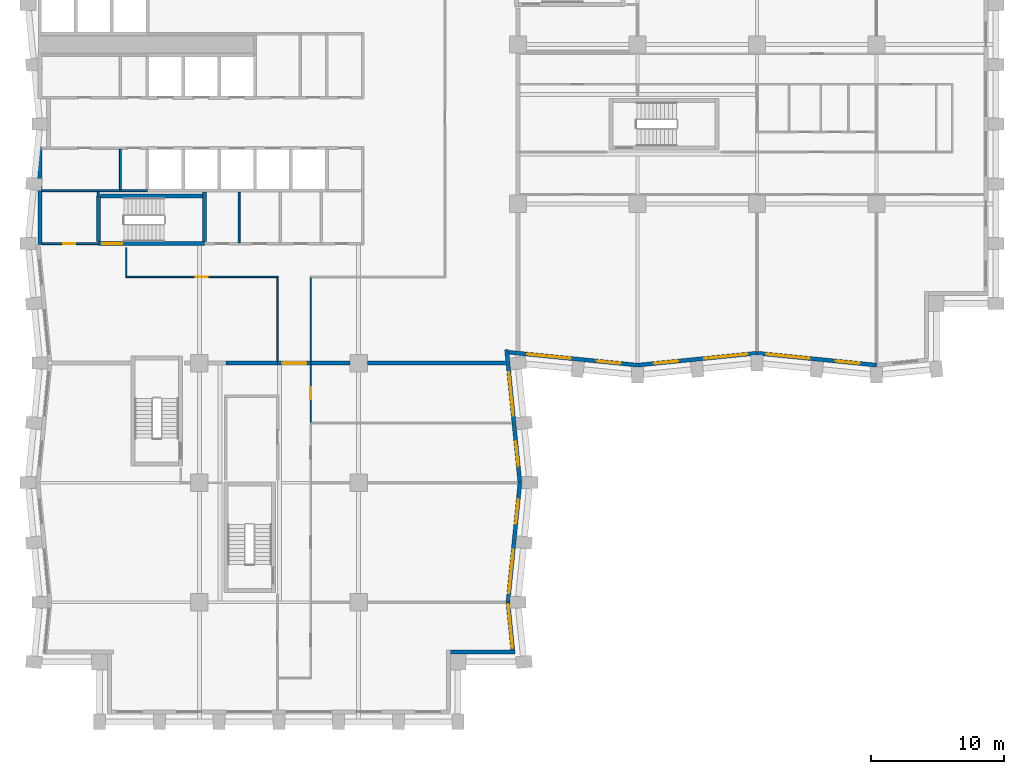
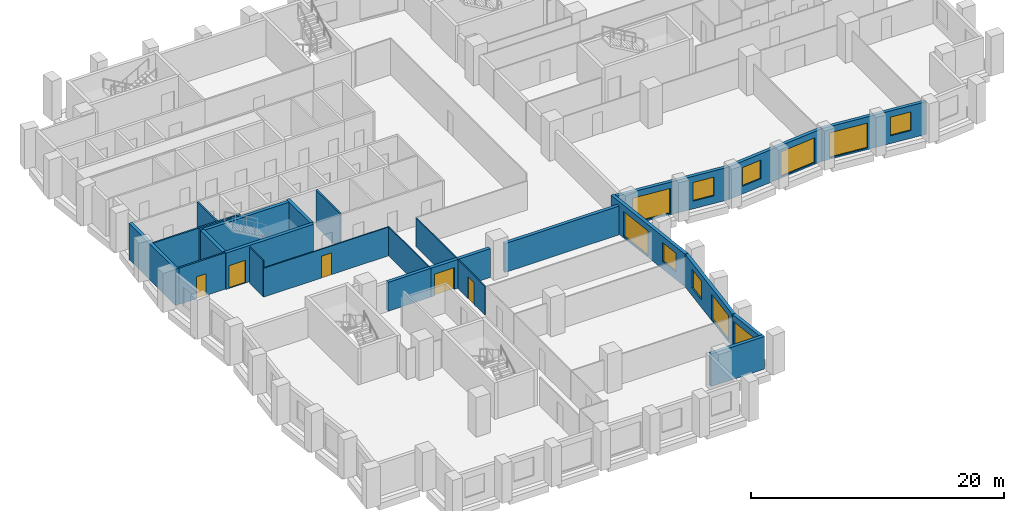
# One storey, part 4 of 11: 26 walls, 11 windows, 5 doors, 16 openings.
"""IFC4 building model written with IfcOpenShell, lengths in metres."""

import ifcopenshell
import ifcopenshell.guid

model = None  # the IFC model being written
_history = None  # IfcOwnerHistory: only IFC2X3 demands one
_inside = {}  # id of a spatial element -> (the spatial element, [elements in it])
_under = {}  # id of a project, library or spatial element -> (it, [spatial elements below it])
_declared = {}  # id of a project -> (the project, [libraries it declares])
_typed = {}  # id of a type object -> (the type object, [elements of that type])
_made_of = {}  # id of a material, layer set ... -> (it, [elements and type objects made of it])


def new_model(schema):
    """Start an empty IFC model of exactly this schema.

    Asked for "IFC4X3", IfcOpenShell would pick the latest addendum, in which some entities
    have other attributes; the version numbers below select the first issue.
    IFC2X3 requires an IfcOwnerHistory on every rooted entity: one is made here for all.
    """
    global model, _history
    if schema == "IFC4X3":
        model = ifcopenshell.file(schema_version=(4, 3, 0, 0))
    else:
        model = ifcopenshell.file(schema=schema)
    _inside.clear()
    _under.clear()
    _declared.clear()
    _typed.clear()
    _made_of.clear()
    _history = None
    if model.schema == "IFC2X3":
        org = make("IfcOrganization", Name="unknown")
        user = make(
            "IfcPersonAndOrganization",
            ThePerson=make("IfcPerson", FamilyName="unknown"),
            TheOrganization=org,
        )
        app = make(
            "IfcApplication",
            ApplicationDeveloper=org,
            Version="unknown",
            ApplicationFullName="unknown",
            ApplicationIdentifier="unknown",
        )
        _history = make(
            "IfcOwnerHistory",
            OwningUser=user,
            OwningApplication=app,
            ChangeAction="ADDED",
            CreationDate=0,
        )
    return model


def make(cls, **values):
    """One entity of the class cls with the attributes given. An attribute that is None is left unset."""
    return model.create_entity(
        cls, **{name: value for name, value in values.items() if value is not None}
    )


def rooted(cls, **values):
    """An entity with a GlobalId (a new one), such as an element, a storey or a relation."""
    return make(cls, GlobalId=ifcopenshell.guid.new(), OwnerHistory=_history, **values)


def si_unit(unit_type, name, prefix=None):
    """IfcSIUnit, for example si_unit("LENGTHUNIT", "METRE", prefix="MILLI")."""
    return make("IfcSIUnit", UnitType=unit_type, Prefix=prefix, Name=name)


def assignment(units):
    """IfcUnitAssignment: the units of a project."""
    return None if units is None else make("IfcUnitAssignment", Units=units)


def point(xyz):
    """IfcCartesianPoint."""
    return None if xyz is None else make("IfcCartesianPoint", Coordinates=xyz)


def direction(xyz):
    """IfcDirection."""
    return None if xyz is None else make("IfcDirection", DirectionRatios=xyz)


def frame(location, z_axis=None, x_axis=None):
    """IfcAxis2Placement3D, a coordinate frame: its origin and axes. An axis left out is left unset."""
    return make(
        "IfcAxis2Placement3D",
        Location=point(location),
        Axis=direction(z_axis),
        RefDirection=direction(x_axis),
    )


def frame_2d(location, x_axis=None):
    """IfcAxis2Placement2D, a coordinate frame in the plane: its origin and x axis."""
    return make(
        "IfcAxis2Placement2D", Location=point(location), RefDirection=direction(x_axis)
    )


def origin():
    """The frame at (0, 0, 0) with its axes left unset."""
    return frame((0.0, 0.0, 0.0))


def place(relative_to, where):
    """IfcLocalPlacement: puts the frame where relative to a parent placement (None: the world)."""
    return make(
        "IfcLocalPlacement", PlacementRelTo=relative_to, RelativePlacement=where
    )


def context(
    kind, dimensions, precision=None, world=None, true_north=None, identifier=None
):
    """IfcGeometricRepresentationContext, for example the 3D "Model" context."""
    return make(
        "IfcGeometricRepresentationContext",
        ContextIdentifier=identifier,
        ContextType=kind,
        CoordinateSpaceDimension=dimensions,
        Precision=precision,
        WorldCoordinateSystem=world,
        TrueNorth=true_north,
    )


def subcontext(parent, identifier, kind, view, scale=None):
    """IfcGeometricRepresentationSubContext, for example "Body" below "Model"."""
    return make(
        "IfcGeometricRepresentationSubContext",
        ContextIdentifier=identifier,
        ContextType=kind,
        ParentContext=parent,
        TargetScale=scale,
        TargetView=view,
    )


def project(units=None, contexts=None):
    """IfcProject with its units and contexts."""
    return rooted(
        "IfcProject",
        Name="project",
        RepresentationContexts=contexts,
        UnitsInContext=assignment(units),
    )


def spatial(cls, under=None, at=None, **own):
    """A site, building, storey or space (cls), placed at a placement, below another one or the project."""
    s = rooted(cls, ObjectPlacement=at, **own)
    if under is not None:
        _under.setdefault(under.id(), (under, []))[1].append(s)
    return s


def profile(cls, at=None, kind="AREA", **sizes):
    """A parametric profile (cls). Its sizes go by their IFC names, for example OverallWidth=200.0."""
    return make(cls, ProfileType=kind, Position=at, **sizes)


def rectangle(**sizes):
    """IfcRectangleProfileDef."""
    return profile("IfcRectangleProfileDef", **sizes)


def extrude(swept, where, along, depth):
    """IfcExtrudedAreaSolid: the profile swept, set in the frame where, extruded along a direction by depth."""
    return make(
        "IfcExtrudedAreaSolid",
        SweptArea=swept,
        Position=where,
        ExtrudedDirection=direction(along),
        Depth=depth,
    )


def shape(context_of_items, identifier, shape_type, items):
    """IfcShapeRepresentation: the items that make up one representation, for example the "Body"."""
    return make(
        "IfcShapeRepresentation",
        ContextOfItems=context_of_items,
        RepresentationIdentifier=identifier,
        RepresentationType=shape_type,
        Items=items,
    )


def material(Name=None, Category=None):
    """IfcMaterial."""
    return make("IfcMaterial", Name=Name, Category=Category)


def layer(
    of_material, thickness, ventilated=None, Name=None, Category=None, Priority=None
):
    """IfcMaterialLayer: one layer of a wall or slab, of a material (None: an air gap)."""
    return make(
        "IfcMaterialLayer",
        Material=of_material,
        LayerThickness=thickness,
        IsVentilated=ventilated,
        Name=Name,
        Category=Category,
        Priority=Priority,
    )


def layer_set(layers, Name=None):
    """IfcMaterialLayerSet."""
    return make("IfcMaterialLayerSet", MaterialLayers=layers, LayerSetName=Name)


def made_of(thing, what):
    """Note that an element or type object is made of a material, layer set ...; save() writes the relation."""
    if what is not None:
        _made_of.setdefault(what.id(), (what, []))[1].append(thing)
    return thing


def type_object(cls, material=None, **own):
    """A type object (cls), such as IfcWallType, which elements share."""
    return made_of(rooted(cls, **own), material)


def element(
    cls,
    number,
    at=None,
    inside=None,
    cuts=None,
    type_object=None,
    material=None,
    context=None,
    identifier="Body",
    shape_type=None,
    held_by="IfcProductDefinitionShape",
    body=None,
    shapes=None,
    **own,
):
    """One element of the class cls, such as IfcWall. Its Tag is "e" and its number.

    at: its placement. inside: the storey or other place that contains it. cuts: it is an
    opening in that element (IfcRelVoidsElement). A single representation is given by context,
    identifier, shape_type and body (its items); several are given by shapes. held_by: the class
    of the entity that holds the representations. save() writes the other relations.
    """
    e = rooted(cls, Tag="e%d" % number, ObjectPlacement=at, **own)
    if body is not None:
        shapes = [shape(context, identifier, shape_type, body)]
    if shapes is not None:
        e.Representation = make(held_by, Representations=shapes)
    if inside is not None:
        _inside.setdefault(inside.id(), (inside, []))[1].append(e)
    if cuts is not None:
        rooted(
            "IfcRelVoidsElement", RelatingBuildingElement=cuts, RelatedOpeningElement=e
        )
    if type_object is not None:
        _typed.setdefault(type_object.id(), (type_object, []))[1].append(e)
    return made_of(e, material)


def fill(opening, filler):
    """IfcRelFillsElement: the door or window that sits in an opening."""
    return rooted(
        "IfcRelFillsElement",
        RelatingOpeningElement=opening,
        RelatedBuildingElement=filler,
    )


def aggregate(whole, parts):
    """IfcRelAggregates: a whole, such as a stair, and the parts it consists of."""
    return rooted("IfcRelAggregates", RelatingObject=whole, RelatedObjects=parts)


def save(model, path):
    """Write the relations noted so far, then the file.

    IfcRelAggregates (storeys below a building ...), IfcRelContainedInSpatialStructure (elements
    in a storey), IfcRelDefinesByType, IfcRelAssociatesMaterial and IfcRelDeclares: one each for
    every whole, place, type object, material and project.
    """
    for whole, parts in _under.values():
        aggregate(whole, parts)
    for where, things in _inside.values():
        rooted(
            "IfcRelContainedInSpatialStructure",
            RelatedElements=things,
            RelatingStructure=where,
        )
    for kind, things in _typed.values():
        rooted("IfcRelDefinesByType", RelatedObjects=things, RelatingType=kind)
    for what, things in _made_of.values():
        rooted("IfcRelAssociatesMaterial", RelatedObjects=things, RelatingMaterial=what)
    for by, libraries in _declared.values():
        rooted("IfcRelDeclares", RelatingContext=by, RelatedDefinitions=libraries)
    model.write(path)


model = new_model("IFC4")

# Units and contexts
model_context = context("Model", 3, precision=1e-05, world=origin(), true_north=direction((0.0, 1.0)))
body_context = subcontext(model_context, "Body", "Model", "MODEL_VIEW")
ifc_project = project(units=[si_unit("LENGTHUNIT", "METRE"), si_unit("AREAUNIT", "SQUARE_METRE"), si_unit("VOLUMEUNIT", "CUBIC_METRE"), si_unit("PLANEANGLEUNIT", "RADIAN"), si_unit("MASSUNIT", "GRAM", prefix="KILO")], contexts=[model_context])

# Site, building, storey
site_placement = place(None, origin())
site = spatial("IfcSite", under=ifc_project, at=site_placement, CompositionType="ELEMENT")
building_placement = place(site_placement, origin())
building = spatial("IfcBuilding", under=site, at=building_placement, Name="Brondeck Convention Tower", CompositionType="ELEMENT")
storey_placement = place(building_placement, frame((0.0, 0.0, 99.89990234375)))
storey = spatial("IfcBuildingStorey", under=building, at=storey_placement, Name="L23", CompositionType="ELEMENT", Elevation=99.89990234375)

# Wall
ifc_material_1 = material(Name="Concrete compartment wall C30/37", Category="concrete")
ifc_layer_1 = layer(ifc_material_1, 0.300048828125)
ifc_layer_set_1 = layer_set([ifc_layer_1], Name="Compartment wall 300")
wall_type_1 = type_object("IfcWallType", Name="Compartment wall 300", PredefinedType="PARTITIONING", material=ifc_layer_set_1)
wall_1_placement = place(storey_placement, frame((14.0, 27.0, 0.0), z_axis=(0.0, 0.0, 1.0), x_axis=(1.0, 0.0, 0.0)))
element("IfcWall", 1, at=wall_1_placement, inside=storey, type_object=wall_type_1, Name="FLR-L23-W022", PredefinedType="PARTITIONING", context=body_context, shape_type="SweptSolid", body=[
    extrude(rectangle(XDim=3.89990234375, YDim=0.300048828125, at=frame_2d((1.949951171875, 0.0))), origin(), (0.0, 0.0, 1.0), 2.780029296875),
])

# Wall, opening, door
wall_2_placement = place(storey_placement, frame((20.39990234375, 27.0, 0.0), z_axis=(0.0, 0.0, 1.0), x_axis=(-1.0, 0.0, 0.0)))
wall_2 = element("IfcWall", 2, at=wall_2_placement, inside=storey, type_object=wall_type_1, Name="FLR-L23-W023", PredefinedType="PARTITIONING", context=body_context, shape_type="SweptSolid", body=[
    extrude(rectangle(XDim=2.5, YDim=0.300048828125, at=frame_2d((1.25, 0.0))), origin(), (0.0, 0.0, 1.0), 2.780029296875),
])
opening_1_placement = place(wall_2_placement, frame((0.35009765625, 0.0, 0.0)))
opening_1 = element("IfcOpeningElement", 3, at=opening_1_placement, cuts=wall_2, Name="Opening OF-B-021", PredefinedType="OPENING", context=body_context, shape_type="SweptSolid", body=[
    extrude(rectangle(XDim=1.800048828125, YDim=2.10009765625, at=frame_2d((0.89990234375, 1.050048828125))), frame((0.0, 0.159912109375, 0.0), z_axis=(0.0, -1.0, 0.0), x_axis=(1.0, 0.0, 0.0)), (0.0, 0.0, 1.0), 0.320068359375),
])
ifc_material_2 = material(Name="Steel fire door pair", Category="steel")
door_type_1 = type_object("IfcDoorType", Name="Fire door pair 1800", OperationType="DOUBLE_DOOR_SINGLE_SWING", PredefinedType="DOOR", material=ifc_material_2)
door_1_placement = place(opening_1_placement, origin())
door_1 = element("IfcDoor", 4, at=door_1_placement, inside=storey, type_object=door_type_1, Name="Door OF-B-021", OperationType="DOUBLE_DOOR_SINGLE_SWING", OverallHeight=2.10009765625, OverallWidth=1.800048828125, PredefinedType="DOOR", context=body_context, shape_type="SweptSolid", body=[
    extrude(rectangle(XDim=1.800048828125, YDim=2.10009765625, at=frame_2d((0.89990234375, 1.050048828125))), frame((0.0, 0.02490234375, 0.0), z_axis=(0.0, -1.0, 0.0), x_axis=(1.0, 0.0, 0.0)), (0.0, 0.0, 1.0), 0.050048828125),
])
fill(opening_1, door_1)

# Walls
wall_3_placement = place(storey_placement, frame((20.39990234375, 27.0, 0.0), z_axis=(0.0, 0.0, 1.0), x_axis=(1.0, 0.0, 0.0)))
element("IfcWall", 5, at=wall_3_placement, inside=storey, type_object=wall_type_1, Name="FLR-L23-W024", PredefinedType="PARTITIONING", context=body_context, shape_type="SweptSolid", body=[
    extrude(rectangle(XDim=2.945068359375, YDim=0.300048828125, at=frame_2d((1.47265625, 0.0))), origin(), (0.0, 0.0, 1.0), 2.780029296875),
])
wall_4_placement = place(storey_placement, frame((24.655029296875, 27.0, 0.0), z_axis=(0.0, 0.0, 1.0), x_axis=(1.0, 0.0, 0.0)))
element("IfcWall", 6, at=wall_4_placement, inside=storey, type_object=wall_type_1, Name="FLR-L23-W025", PredefinedType="PARTITIONING", context=body_context, shape_type="SweptSolid", body=[
    extrude(rectangle(XDim=10.42041015625, YDim=0.300048828125, at=frame_2d((5.210205078125, 0.0))), origin(), (0.0, 0.0, 1.0), 2.780029296875),
])
ifc_material_3 = material(Name="Concrete C70/85", Category="concrete")
ifc_layer_2 = layer(ifc_material_3, 0.300048828125)
ifc_layer_set_2 = layer_set([ifc_layer_2], Name="Core outer wall 300 Concrete C70/85")
wall_type_2 = type_object("IfcWallType", Name="Core outer wall 300 Concrete C70/85", PredefinedType="SHEAR", material=ifc_layer_set_2)
wall_5_placement = place(storey_placement, frame((0.0, 35.925048828125, 0.0), z_axis=(0.0, 0.0, 1.0), x_axis=(0.0, 1.0, 0.0)))
element("IfcWall", 7, at=wall_5_placement, inside=storey, type_object=wall_type_2, Name="L23 core wall", PredefinedType="SHEAR", context=body_context, shape_type="SweptSolid", body=[
    extrude(rectangle(XDim=7.349853515625, YDim=0.300048828125, at=frame_2d((3.6748046875, 0.0))), origin(), (0.0, 0.0, 1.0), 3.5),
])

# Wall, opening, door
ifc_material_4 = material(Name="Fire-rated gypsum board partition")
ifc_layer_3 = layer(ifc_material_4, 0.14990234375)
ifc_layer_set_3 = layer_set([ifc_layer_3], Name="Core partition 150 EI 60")
wall_type_3 = type_object("IfcWallType", Name="Core partition 150 EI 60", PredefinedType="PARTITIONING", material=ifc_layer_set_3)
wall_6_placement = place(storey_placement, frame((0.14990234375, 36.0, 0.0), z_axis=(0.0, 0.0, 1.0), x_axis=(1.0, 0.0, 0.0)))
wall_6 = element("IfcWall", 8, at=wall_6_placement, inside=storey, type_object=wall_type_3, Name="L23 core wall", PredefinedType="PARTITIONING", context=body_context, shape_type="SweptSolid", body=[
    extrude(rectangle(XDim=4.25, YDim=0.14990234375, at=frame_2d((2.125, 0.0))), origin(), (0.0, 0.0, 1.0), 3.5),
])
opening_2_placement = place(wall_6_placement, frame((1.60009765625, 0.0, 0.0)))
opening_2 = element("IfcOpeningElement", 9, at=opening_2_placement, cuts=wall_6, Name="Opening C15-07", PredefinedType="OPENING", context=body_context, shape_type="SweptSolid", body=[
    extrude(rectangle(XDim=0.89990234375, YDim=2.10009765625, at=frame_2d((0.449951171875, 1.050048828125))), frame((0.0, 0.0849609375, 0.0), z_axis=(0.0, -1.0, 0.0), x_axis=(1.0, 0.0, 0.0)), (0.0, 0.0, 1.0), 0.169921875),
])
ifc_material_5 = material(Name="Steel fire door", Category="steel")
door_type_2 = type_object("IfcDoorType", Name="Room door 900x2100 EI 60", OperationType="NOTDEFINED", PredefinedType="DOOR", material=ifc_material_5)
door_2_placement = place(opening_2_placement, origin())
door_2 = element("IfcDoor", 10, at=door_2_placement, inside=storey, type_object=door_type_2, Name="L23 Room door FRW-1", OperationType="SINGLE_SWING_LEFT", OverallHeight=2.10009765625, OverallWidth=0.89990234375, PredefinedType="DOOR", context=body_context, shape_type="SweptSolid", body=[
    extrude(rectangle(XDim=0.89990234375, YDim=2.10009765625, at=frame_2d((0.449951171875, 1.050048828125))), frame((0.0, 0.02490234375, 0.0), z_axis=(0.0, -1.0, 0.0), x_axis=(1.0, 0.0, 0.0)), (0.0, 0.0, 1.0), 0.050048828125),
])
fill(opening_2, door_2)

# Walls
wall_7_placement = place(storey_placement, frame((0.14990234375, 40.0, 0.0), z_axis=(0.0, 0.0, 1.0), x_axis=(1.0, 0.0, 0.0)))
element("IfcWall", 11, at=wall_7_placement, inside=storey, type_object=wall_type_3, Name="L23 core wall", PredefinedType="PARTITIONING", context=body_context, shape_type="SweptSolid", body=[
    extrude(rectangle(XDim=7.9501953125, YDim=0.14990234375, at=frame_2d((3.97509765625, 0.0))), origin(), (0.0, 0.0, 1.0), 3.5),
])
wall_8_placement = place(storey_placement, frame((4.39990234375, 39.60009765625, 0.0), z_axis=(0.0, 0.0, 1.0), x_axis=(0.0, 1.0, 0.0)))
element("IfcWall", 12, at=wall_8_placement, inside=storey, type_object=wall_type_3, Name="L23 core wall", PredefinedType="PARTITIONING", context=body_context, shape_type="SweptSolid", body=[
    extrude(rectangle(XDim=0.324951171875, YDim=0.14990234375, at=frame_2d((0.16259765625, 0.0))), origin(), (0.0, 0.0, 1.0), 3.5),
])
wall_9_placement = place(storey_placement, frame((6.050048828125, 40.074951171875, 0.0), z_axis=(0.0, 0.0, 1.0), x_axis=(0.0, 1.0, 0.0)))
element("IfcWall", 13, at=wall_9_placement, inside=storey, type_object=wall_type_3, Name="L23 core wall", PredefinedType="PARTITIONING", context=body_context, shape_type="SweptSolid", body=[
    extrude(rectangle(XDim=3.050048828125, YDim=0.14990234375, at=frame_2d((1.52490234375, 0.0))), origin(), (0.0, 0.0, 1.0), 3.5),
])
wall_10_placement = place(storey_placement, frame((15.0, 36.074951171875, 0.0), z_axis=(0.0, 0.0, 1.0), x_axis=(0.0, 1.0, 0.0)))
element("IfcWall", 14, at=wall_10_placement, inside=storey, type_object=wall_type_3, Name="L23 core wall", PredefinedType="PARTITIONING", context=body_context, shape_type="SweptSolid", body=[
    extrude(rectangle(XDim=3.800048828125, YDim=0.14990234375, at=frame_2d((1.89990234375, 0.0))), origin(), (0.0, 0.0, 1.0), 3.5),
])
ifc_material_6 = material(Name="Precast concrete C50/60 bronze finish", Category="concrete")
ifc_layer_4 = layer(ifc_material_6, 0.070068359375, Name="Bronze precast facing")
ifc_material_7 = material(Name="Mineral wool")
ifc_layer_5 = layer(ifc_material_7, 0.159912109375, Name="Insulation")
ifc_material_8 = material(Name="Concrete C35/45", Category="concrete")
ifc_layer_6 = layer(ifc_material_8, 0.070068359375, Name="Backing")
ifc_layer_set_4 = layer_set([ifc_layer_4, ifc_layer_5, ifc_layer_6], Name="External infill wall, precast concrete C50/60 bronze facing")
wall_type_4 = type_object("IfcWallType", Name="External infill wall, precast concrete C50/60 bronze facing", PredefinedType="SOLIDWALL", material=ifc_layer_set_4)
wall_11_placement = place(storey_placement, frame((35.787109375, 5.25, 0.0), z_axis=(0.0, 0.0, 1.0), x_axis=(-1.0, 0.0, 0.0)))
element("IfcWall", 15, at=wall_11_placement, inside=storey, type_object=wall_type_4, Name="ENV-EW-L23-P0-NC-SEB0-02", PredefinedType="SOLIDWALL", context=body_context, shape_type="SweptSolid", body=[
    extrude(rectangle(XDim=4.88720703125, YDim=0.300048828125, at=frame_2d((2.443603515625, 0.0))), origin(), (0.0, 0.0, 1.0), 3.150146484375),
])

# Wall, opening, window
wall_12_placement = place(storey_placement, frame((35.244873046875, 9.014892578125, 0.0), z_axis=(0.0, 0.0, 1.0), x_axis=(0.099470401798, -0.995040521369, 0.0)))
wall_12 = element("IfcWall", 16, at=wall_12_placement, inside=storey, type_object=wall_type_4, Name="ENV-EW-L23-P0-B-E-04", PredefinedType="SOLIDWALL", context=body_context, shape_type="SweptSolid", body=[
    extrude(rectangle(XDim=3.627685546875, YDim=0.300048828125, at=frame_2d((1.81396484375, 0.0))), origin(), (0.0, 0.0, 1.0), 3.150146484375),
])
opening_3_placement = place(wall_12_placement, frame((0.177734375, 0.0, 0.14990234375)))
opening_3 = element("IfcOpeningElement", 17, at=opening_3_placement, cuts=wall_12, Name="Opening W9", PredefinedType="OPENING", context=body_context, shape_type="SweptSolid", body=[
    extrude(rectangle(XDim=3.300048828125, YDim=2.39990234375, at=frame_2d((1.64990234375, 1.199951171875))), frame((0.0, 0.159912109375, 0.0), z_axis=(0.0, -1.0, 0.0), x_axis=(1.0, 0.0, 0.0)), (0.0, 0.0, 1.0), 0.320068359375),
])
ifc_material_9 = material(Name="Bronze tinted double glazing", Category="glass")
window_type_1 = type_object("IfcWindowType", Name="Glazed flute window, bronze tinted", PartitioningType="SINGLE_PANEL", PredefinedType="WINDOW", material=ifc_material_9)
window_1_placement = place(opening_3_placement, origin())
window_1 = element("IfcWindow", 18, at=window_1_placement, inside=storey, type_object=window_type_1, Name="ENV-WN-L23-P0-B-E-04", OverallHeight=2.39990234375, OverallWidth=3.300048828125, PartitioningType="SINGLE_PANEL", PredefinedType="WINDOW", context=body_context, shape_type="SweptSolid", body=[
    extrude(rectangle(XDim=3.300048828125, YDim=2.39990234375, at=frame_2d((1.64990234375, 1.199951171875))), frame((0.0, 0.030029296875, 0.0), z_axis=(0.0, -1.0, 0.0), x_axis=(1.0, 0.0, 0.0)), (0.0, 0.0, 1.0), 0.06005859375),
])
fill(opening_3, window_1)

# Wall, openings, windows
wall_13_placement = place(storey_placement, frame((36.147705078125, 18.014892578125, 0.0), z_axis=(0.0, 0.0, 1.0), x_axis=(-0.099495688264, -0.995037993253, 0.0)))
wall_13 = element("IfcWall", 19, at=wall_13_placement, inside=storey, type_object=wall_type_4, Name="ENV-EW-L23-P0-B-E-03", PredefinedType="SOLIDWALL", context=body_context, shape_type="SweptSolid", body=[
    extrude(rectangle(XDim=9.030029296875, YDim=0.300048828125, at=frame_2d((4.51513671875, 0.0))), origin(), (0.0, 0.0, 1.0), 3.150146484375),
])
opening_4_placement = place(wall_13_placement, frame((1.30126953125, 0.0, 0.75)))
opening_4 = element("IfcOpeningElement", 20, at=opening_4_placement, cuts=wall_13, Name="Opening W10", PredefinedType="OPENING", context=body_context, shape_type="SweptSolid", body=[
    extrude(rectangle(XDim=1.800048828125, YDim=1.800048828125, at=frame_2d((0.89990234375, 0.89990234375))), frame((0.0, 0.159912109375, 0.0), z_axis=(0.0, -1.0, 0.0), x_axis=(1.0, 0.0, 0.0)), (0.0, 0.0, 1.0), 0.320068359375),
])
opening_5_placement = place(wall_13_placement, frame((5.073486328125, 0.0, 0.14990234375)))
opening_5 = element("IfcOpeningElement", 21, at=opening_5_placement, cuts=wall_13, Name="Opening W9", PredefinedType="OPENING", context=body_context, shape_type="SweptSolid", body=[
    extrude(rectangle(XDim=3.300048828125, YDim=2.39990234375, at=frame_2d((1.64990234375, 1.199951171875))), frame((0.0, 0.159912109375, 0.0), z_axis=(0.0, -1.0, 0.0), x_axis=(1.0, 0.0, 0.0)), (0.0, 0.0, 1.0), 0.320068359375),
])
window_2_placement = place(opening_5_placement, origin())
window_2 = element("IfcWindow", 22, at=window_2_placement, inside=storey, type_object=window_type_1, Name="ENV-WN-L23-P0-B-E-03", OverallHeight=2.39990234375, OverallWidth=3.300048828125, PartitioningType="SINGLE_PANEL", PredefinedType="WINDOW", context=body_context, shape_type="SweptSolid", body=[
    extrude(rectangle(XDim=3.300048828125, YDim=2.39990234375, at=frame_2d((1.64990234375, 1.199951171875))), frame((0.0, 0.030029296875, 0.0), z_axis=(0.0, -1.0, 0.0), x_axis=(1.0, 0.0, 0.0)), (0.0, 0.0, 1.0), 0.06005859375),
])
fill(opening_5, window_2)
window_type_2 = type_object("IfcWindowType", Name="Punched window, bronze tinted", PartitioningType="SINGLE_PANEL", PredefinedType="WINDOW", material=ifc_material_9)
window_3_placement = place(opening_4_placement, origin())
window_3 = element("IfcWindow", 23, at=window_3_placement, inside=storey, type_object=window_type_2, Name="ENV-WN-L23-P0-B-E-02", OverallHeight=1.800048828125, OverallWidth=1.800048828125, PartitioningType="SINGLE_PANEL", PredefinedType="WINDOW", context=body_context, shape_type="SweptSolid", body=[
    extrude(rectangle(XDim=1.800048828125, YDim=1.800048828125, at=frame_2d((0.89990234375, 0.89990234375))), frame((0.0, 0.030029296875, 0.0), z_axis=(0.0, -1.0, 0.0), x_axis=(1.0, 0.0, 0.0)), (0.0, 0.0, 1.0), 0.06005859375),
])
fill(opening_4, window_3)

wall_14_placement = place(storey_placement, frame((35.144287109375, 28.02001953125, 0.0), z_axis=(0.0, 0.0, 1.0), x_axis=(0.099503719021, -0.99503719021, 0.0)))
wall_14 = element("IfcWall", 24, at=wall_14_placement, inside=storey, type_object=wall_type_4, Name="ENV-EW-L23-P0-B-E-01", PredefinedType="SOLIDWALL", context=body_context, shape_type="SweptSolid", body=[
    extrude(rectangle(XDim=10.0400390625, YDim=0.300048828125, at=frame_2d((5.02001953125, 0.0))), origin(), (0.0, 0.0, 1.0), 3.150146484375),
])
opening_6_placement = place(wall_14_placement, frame((1.711181640625, 0.0, 0.14990234375)))
opening_6 = element("IfcOpeningElement", 25, at=opening_6_placement, cuts=wall_14, Name="Opening W9", PredefinedType="OPENING", context=body_context, shape_type="SweptSolid", body=[
    extrude(rectangle(XDim=3.300048828125, YDim=2.39990234375, at=frame_2d((1.64990234375, 1.199951171875))), frame((0.0, 0.159912109375, 0.0), z_axis=(0.0, -1.0, 0.0), x_axis=(1.0, 0.0, 0.0)), (0.0, 0.0, 1.0), 0.320068359375),
])
opening_7_placement = place(wall_14_placement, frame((6.983642578125, 0.0, 0.75)))
opening_7 = element("IfcOpeningElement", 26, at=opening_7_placement, cuts=wall_14, Name="Opening W10", PredefinedType="OPENING", context=body_context, shape_type="SweptSolid", body=[
    extrude(rectangle(XDim=1.800048828125, YDim=1.800048828125, at=frame_2d((0.89990234375, 0.89990234375))), frame((0.0, 0.159912109375, 0.0), z_axis=(0.0, -1.0, 0.0), x_axis=(1.0, 0.0, 0.0)), (0.0, 0.0, 1.0), 0.320068359375),
])
window_4_placement = place(opening_6_placement, origin())
window_4 = element("IfcWindow", 27, at=window_4_placement, inside=storey, type_object=window_type_1, Name="ENV-WN-L23-P0-B-E-00", OverallHeight=2.39990234375, OverallWidth=3.300048828125, PartitioningType="SINGLE_PANEL", PredefinedType="WINDOW", context=body_context, shape_type="SweptSolid", body=[
    extrude(rectangle(XDim=3.300048828125, YDim=2.39990234375, at=frame_2d((1.64990234375, 1.199951171875))), frame((0.0, 0.030029296875, 0.0), z_axis=(0.0, -1.0, 0.0), x_axis=(1.0, 0.0, 0.0)), (0.0, 0.0, 1.0), 0.06005859375),
])
fill(opening_6, window_4)
window_5_placement = place(opening_7_placement, origin())
window_5 = element("IfcWindow", 28, at=window_5_placement, inside=storey, type_object=window_type_2, Name="ENV-WN-L23-P0-B-E-01", OverallHeight=1.800048828125, OverallWidth=1.800048828125, PartitioningType="SINGLE_PANEL", PredefinedType="WINDOW", context=body_context, shape_type="SweptSolid", body=[
    extrude(rectangle(XDim=1.800048828125, YDim=1.800048828125, at=frame_2d((0.89990234375, 0.89990234375))), frame((0.0, 0.030029296875, 0.0), z_axis=(0.0, -1.0, 0.0), x_axis=(1.0, 0.0, 0.0)), (0.0, 0.0, 1.0), 0.06005859375),
])
fill(opening_7, window_5)

wall_15_placement = place(storey_placement, frame((45.014892578125, 26.852294921875, 0.0), z_axis=(0.0, 0.0, 1.0), x_axis=(-0.995037438546, 0.099501235631, 0.0)))
wall_15 = element("IfcWall", 29, at=wall_15_placement, inside=storey, type_object=wall_type_4, Name="ENV-EW-L23-P0-A-S-00", PredefinedType="SOLIDWALL", context=body_context, shape_type="SweptSolid", body=[
    extrude(rectangle(XDim=9.733642578125, YDim=0.300048828125, at=frame_2d((4.86669921875, 0.0))), origin(), (0.0, 0.0, 1.0), 3.150146484375),
])
opening_8_placement = place(wall_15_placement, frame((1.30126953125, 0.0, 0.75)))
opening_8 = element("IfcOpeningElement", 30, at=opening_8_placement, cuts=wall_15, Name="Opening W10", PredefinedType="OPENING", context=body_context, shape_type="SweptSolid", body=[
    extrude(rectangle(XDim=1.800048828125, YDim=1.800048828125, at=frame_2d((0.89990234375, 0.89990234375))), frame((0.0, 0.159912109375, 0.0), z_axis=(0.0, -1.0, 0.0), x_axis=(1.0, 0.0, 0.0)), (0.0, 0.0, 1.0), 0.320068359375),
])
opening_9_placement = place(wall_15_placement, frame((5.073486328125, 0.0, 0.14990234375)))
opening_9 = element("IfcOpeningElement", 31, at=opening_9_placement, cuts=wall_15, Name="Opening W9", PredefinedType="OPENING", context=body_context, shape_type="SweptSolid", body=[
    extrude(rectangle(XDim=3.300048828125, YDim=2.39990234375, at=frame_2d((1.64990234375, 1.199951171875))), frame((0.0, 0.159912109375, 0.0), z_axis=(0.0, -1.0, 0.0), x_axis=(1.0, 0.0, 0.0)), (0.0, 0.0, 1.0), 0.320068359375),
])
window_6_placement = place(opening_9_placement, origin())
window_6 = element("IfcWindow", 32, at=window_6_placement, inside=storey, type_object=window_type_1, Name="ENV-WN-L23-P0-A-S-00", OverallHeight=2.39990234375, OverallWidth=3.300048828125, PartitioningType="SINGLE_PANEL", PredefinedType="WINDOW", context=body_context, shape_type="SweptSolid", body=[
    extrude(rectangle(XDim=3.300048828125, YDim=2.39990234375, at=frame_2d((1.64990234375, 1.199951171875))), frame((0.0, 0.030029296875, 0.0), z_axis=(0.0, -1.0, 0.0), x_axis=(1.0, 0.0, 0.0)), (0.0, 0.0, 1.0), 0.06005859375),
])
fill(opening_9, window_6)
window_7_placement = place(opening_8_placement, origin())
window_7 = element("IfcWindow", 33, at=window_7_placement, inside=storey, type_object=window_type_2, Name="ENV-WN-L23-P0-A-S-01", OverallHeight=1.800048828125, OverallWidth=1.800048828125, PartitioningType="SINGLE_PANEL", PredefinedType="WINDOW", context=body_context, shape_type="SweptSolid", body=[
    extrude(rectangle(XDim=1.800048828125, YDim=1.800048828125, at=frame_2d((0.89990234375, 0.89990234375))), frame((0.0, 0.030029296875, 0.0), z_axis=(0.0, -1.0, 0.0), x_axis=(1.0, 0.0, 0.0)), (0.0, 0.0, 1.0), 0.06005859375),
])
fill(opening_8, window_7)

wall_16_placement = place(storey_placement, frame((54.014892578125, 27.755126953125, 0.0), z_axis=(0.0, 0.0, 1.0), x_axis=(-0.995037993253, -0.099495688264, 0.0)))
wall_16 = element("IfcWall", 34, at=wall_16_placement, inside=storey, type_object=wall_type_4, Name="ENV-EW-L23-P0-A-S-02", PredefinedType="SOLIDWALL", context=body_context, shape_type="SweptSolid", body=[
    extrude(rectangle(XDim=9.030029296875, YDim=0.300048828125, at=frame_2d((4.51513671875, 0.0))), origin(), (0.0, 0.0, 1.0), 3.150146484375),
])
opening_10_placement = place(wall_16_placement, frame((0.701171875, 0.0, 0.14990234375)))
opening_10 = element("IfcOpeningElement", 35, at=opening_10_placement, cuts=wall_16, Name="Opening W9", PredefinedType="OPENING", context=body_context, shape_type="SweptSolid", body=[
    extrude(rectangle(XDim=3.300048828125, YDim=2.39990234375, at=frame_2d((1.64990234375, 1.199951171875))), frame((0.0, 0.159912109375, 0.0), z_axis=(0.0, -1.0, 0.0), x_axis=(1.0, 0.0, 0.0)), (0.0, 0.0, 1.0), 0.320068359375),
])
opening_11_placement = place(wall_16_placement, frame((5.9736328125, 0.0, 0.75)))
opening_11 = element("IfcOpeningElement", 36, at=opening_11_placement, cuts=wall_16, Name="Opening W10", PredefinedType="OPENING", context=body_context, shape_type="SweptSolid", body=[
    extrude(rectangle(XDim=1.800048828125, YDim=1.800048828125, at=frame_2d((0.89990234375, 0.89990234375))), frame((0.0, 0.159912109375, 0.0), z_axis=(0.0, -1.0, 0.0), x_axis=(1.0, 0.0, 0.0)), (0.0, 0.0, 1.0), 0.320068359375),
])
window_8_placement = place(opening_10_placement, origin())
window_8 = element("IfcWindow", 37, at=window_8_placement, inside=storey, type_object=window_type_1, Name="ENV-WN-L23-P0-A-S-03", OverallHeight=2.39990234375, OverallWidth=3.300048828125, PartitioningType="SINGLE_PANEL", PredefinedType="WINDOW", context=body_context, shape_type="SweptSolid", body=[
    extrude(rectangle(XDim=3.300048828125, YDim=2.39990234375, at=frame_2d((1.64990234375, 1.199951171875))), frame((0.0, 0.030029296875, 0.0), z_axis=(0.0, -1.0, 0.0), x_axis=(1.0, 0.0, 0.0)), (0.0, 0.0, 1.0), 0.06005859375),
])
fill(opening_10, window_8)
window_9_placement = place(opening_11_placement, origin())
window_9 = element("IfcWindow", 38, at=window_9_placement, inside=storey, type_object=window_type_2, Name="ENV-WN-L23-P0-A-S-02", OverallHeight=1.800048828125, OverallWidth=1.800048828125, PartitioningType="SINGLE_PANEL", PredefinedType="WINDOW", context=body_context, shape_type="SweptSolid", body=[
    extrude(rectangle(XDim=1.800048828125, YDim=1.800048828125, at=frame_2d((0.89990234375, 0.89990234375))), frame((0.0, 0.030029296875, 0.0), z_axis=(0.0, -1.0, 0.0), x_axis=(1.0, 0.0, 0.0)), (0.0, 0.0, 1.0), 0.06005859375),
])
fill(opening_11, window_9)

wall_17_placement = place(storey_placement, frame((63.014892578125, 26.852294921875, 0.0), z_axis=(0.0, 0.0, 1.0), x_axis=(-0.995037993253, 0.099495688264, 0.0)))
wall_17 = element("IfcWall", 39, at=wall_17_placement, inside=storey, type_object=wall_type_4, Name="ENV-EW-L23-P0-A-S-04", PredefinedType="SOLIDWALL", context=body_context, shape_type="SweptSolid", body=[
    extrude(rectangle(XDim=9.030029296875, YDim=0.300048828125, at=frame_2d((4.51513671875, 0.0))), origin(), (0.0, 0.0, 1.0), 3.150146484375),
])
opening_12_placement = place(wall_17_placement, frame((1.30126953125, 0.0, 0.75)))
opening_12 = element("IfcOpeningElement", 40, at=opening_12_placement, cuts=wall_17, Name="Opening W10", PredefinedType="OPENING", context=body_context, shape_type="SweptSolid", body=[
    extrude(rectangle(XDim=1.800048828125, YDim=1.800048828125, at=frame_2d((0.89990234375, 0.89990234375))), frame((0.0, 0.159912109375, 0.0), z_axis=(0.0, -1.0, 0.0), x_axis=(1.0, 0.0, 0.0)), (0.0, 0.0, 1.0), 0.320068359375),
])
opening_13_placement = place(wall_17_placement, frame((5.073486328125, 0.0, 0.14990234375)))
opening_13 = element("IfcOpeningElement", 41, at=opening_13_placement, cuts=wall_17, Name="Opening W9", PredefinedType="OPENING", context=body_context, shape_type="SweptSolid", body=[
    extrude(rectangle(XDim=3.300048828125, YDim=2.39990234375, at=frame_2d((1.64990234375, 1.199951171875))), frame((0.0, 0.159912109375, 0.0), z_axis=(0.0, -1.0, 0.0), x_axis=(1.0, 0.0, 0.0)), (0.0, 0.0, 1.0), 0.320068359375),
])
window_10_placement = place(opening_13_placement, origin())
window_10 = element("IfcWindow", 42, at=window_10_placement, inside=storey, type_object=window_type_1, Name="ENV-WN-L23-P0-A-S-04", OverallHeight=2.39990234375, OverallWidth=3.300048828125, PartitioningType="SINGLE_PANEL", PredefinedType="WINDOW", context=body_context, shape_type="SweptSolid", body=[
    extrude(rectangle(XDim=3.300048828125, YDim=2.39990234375, at=frame_2d((1.64990234375, 1.199951171875))), frame((0.0, 0.030029296875, 0.0), z_axis=(0.0, -1.0, 0.0), x_axis=(1.0, 0.0, 0.0)), (0.0, 0.0, 1.0), 0.06005859375),
])
fill(opening_13, window_10)
window_11_placement = place(opening_12_placement, origin())
window_11 = element("IfcWindow", 43, at=window_11_placement, inside=storey, type_object=window_type_2, Name="ENV-WN-L23-P0-A-S-05", OverallHeight=1.800048828125, OverallWidth=1.800048828125, PartitioningType="SINGLE_PANEL", PredefinedType="WINDOW", context=body_context, shape_type="SweptSolid", body=[
    extrude(rectangle(XDim=1.800048828125, YDim=1.800048828125, at=frame_2d((0.89990234375, 0.89990234375))), frame((0.0, 0.030029296875, 0.0), z_axis=(0.0, -1.0, 0.0), x_axis=(1.0, 0.0, 0.0)), (0.0, 0.0, 1.0), 0.06005859375),
])
fill(opening_12, window_11)

# Wall, opening, door
ifc_material_10 = material(Name="Gypsum board partition on steel studs", Category="steel")
ifc_layer_7 = layer(ifc_material_10, 0.10009765625)
ifc_layer_set_5 = layer_set([ifc_layer_7], Name="Room partition 100")
wall_type_5 = type_object("IfcWallType", Name="Room partition 100", PredefinedType="PARTITIONING", material=ifc_layer_set_5)
wall_18_placement = place(storey_placement, frame((20.39990234375, 26.830078125, 0.0), z_axis=(0.0, 0.0, 1.0), x_axis=(0.0, -1.0, 0.0)))
wall_18 = element("IfcWall", 44, at=wall_18_placement, inside=storey, type_object=wall_type_5, Name="FLR-L23-W018", PredefinedType="PARTITIONING", context=body_context, shape_type="SweptSolid", body=[
    extrude(rectangle(XDim=4.280029296875, YDim=0.10009765625, at=frame_2d((2.14013671875, 0.0))), origin(), (0.0, 0.0, 1.0), 2.780029296875),
])
opening_14_placement = place(wall_18_placement, frame((1.6298828125, 0.0, 0.0)))
opening_14 = element("IfcOpeningElement", 45, at=opening_14_placement, cuts=wall_18, Name="Opening OF-B-014", PredefinedType="OPENING", context=body_context, shape_type="SweptSolid", body=[
    extrude(rectangle(XDim=0.89990234375, YDim=2.10009765625, at=frame_2d((0.449951171875, 1.050048828125))), frame((0.0, 0.06005859375, 0.0), z_axis=(0.0, -1.0, 0.0), x_axis=(1.0, 0.0, 0.0)), (0.0, 0.0, 1.0), 0.1201171875),
])
ifc_material_11 = material(Name="Solid timber door leaf", Category="wood")
door_type_3 = type_object("IfcDoorType", Name="Single door 900", OperationType="NOTDEFINED", PredefinedType="DOOR", material=ifc_material_11)
door_3_placement = place(opening_14_placement, origin())
door_3 = element("IfcDoor", 46, at=door_3_placement, inside=storey, type_object=door_type_3, Name="Door OF-B-014", OperationType="SINGLE_SWING_LEFT", OverallHeight=2.10009765625, OverallWidth=0.89990234375, PredefinedType="DOOR", context=body_context, shape_type="SweptSolid", body=[
    extrude(rectangle(XDim=0.89990234375, YDim=2.10009765625, at=frame_2d((0.449951171875, 1.050048828125))), frame((0.0, 0.02490234375, 0.0), z_axis=(0.0, -1.0, 0.0), x_axis=(1.0, 0.0, 0.0)), (0.0, 0.0, 1.0), 0.050048828125),
])
fill(opening_14, door_3)

# Walls
for number, where, z_axis, x_axis, name in (
    (47, (17.89990234375, 27.169921875, 0.0), (0.0, 0.0, 1.0), (0.0, 1.0, 0.0), "FLR-L23-W026"),
    (48, (20.39990234375, 33.449951171875, 0.0), (0.0, 0.0, 1.0), (0.0, -1.0, 0.0), "FLR-L23-W028"),
):
    element("IfcWall", number, at=place(storey_placement, frame(where, z_axis=z_axis, x_axis=x_axis)), inside=storey, type_object=wall_type_5, Name=name, PredefinedType="PARTITIONING", context=body_context, shape_type="SweptSolid", body=[
        extrude(rectangle(XDim=6.280029296875, YDim=0.10009765625, at=frame_2d((3.14013671875, 0.0))), origin(), (0.0, 0.0, 1.0), 2.780029296875),
    ])

# Wall, opening, door
wall_19_placement = place(storey_placement, frame((17.949951171875, 33.5, 0.0), z_axis=(0.0, 0.0, 1.0), x_axis=(-1.0, 0.0, 0.0)))
wall_19 = element("IfcWall", 49, at=wall_19_placement, inside=storey, type_object=wall_type_5, Name="FLR-L23-W029", PredefinedType="PARTITIONING", context=body_context, shape_type="SweptSolid", body=[
    extrude(rectangle(XDim=11.5, YDim=0.10009765625, at=frame_2d((5.75, 0.0))), origin(), (0.0, 0.0, 1.0), 2.780029296875),
])
opening_15_placement = place(wall_19_placement, frame((5.300048828125, 0.0, 0.0)))
opening_15 = element("IfcOpeningElement", 50, at=opening_15_placement, cuts=wall_19, Name="Opening OF-B-019", PredefinedType="OPENING", context=body_context, shape_type="SweptSolid", body=[
    extrude(rectangle(XDim=0.89990234375, YDim=2.10009765625, at=frame_2d((0.449951171875, 1.050048828125))), frame((0.0, 0.06005859375, 0.0), z_axis=(0.0, -1.0, 0.0), x_axis=(1.0, 0.0, 0.0)), (0.0, 0.0, 1.0), 0.1201171875),
])
door_4_placement = place(opening_15_placement, origin())
door_4 = element("IfcDoor", 51, at=door_4_placement, inside=storey, type_object=door_type_3, Name="Door OF-B-019", OperationType="SINGLE_SWING_LEFT", OverallHeight=2.10009765625, OverallWidth=0.89990234375, PredefinedType="DOOR", context=body_context, shape_type="SweptSolid", body=[
    extrude(rectangle(XDim=0.89990234375, YDim=2.10009765625, at=frame_2d((0.449951171875, 1.050048828125))), frame((0.0, 0.02490234375, 0.0), z_axis=(0.0, -1.0, 0.0), x_axis=(1.0, 0.0, 0.0)), (0.0, 0.0, 1.0), 0.050048828125),
])
fill(opening_15, door_4)

# Wall
wall_20_placement = place(storey_placement, frame((6.5, 33.550048828125, 0.0), z_axis=(0.0, 0.0, 1.0), x_axis=(0.0, 1.0, 0.0)))
element("IfcWall", 52, at=wall_20_placement, inside=storey, type_object=wall_type_5, Name="FLR-L23-W031", PredefinedType="PARTITIONING", context=body_context, shape_type="SweptSolid", body=[
    extrude(rectangle(XDim=2.14990234375, YDim=0.10009765625, at=frame_2d((1.074951171875, 0.0))), origin(), (0.0, 0.0, 1.0), 3.47998046875),
])

# Wall, opening, door
ifc_layer_8 = layer(ifc_material_3, 0.300048828125)
ifc_layer_set_6 = layer_set([ifc_layer_8], Name="Stair enclosure wall 300 Concrete C70/85")
wall_type_6 = type_object("IfcWallType", Name="Stair enclosure wall 300 Concrete C70/85", PredefinedType="SHEAR", material=ifc_layer_set_6)
wall_21_placement = place(storey_placement, frame((4.39990234375, 36.0, 0.0), z_axis=(0.0, 0.0, 1.0), x_axis=(1.0, 0.0, 0.0)))
wall_21 = element("IfcWall", 53, at=wall_21_placement, inside=storey, type_object=wall_type_6, Name="L23 core wall", PredefinedType="SHEAR", context=body_context, shape_type="SweptSolid", body=[
    extrude(rectangle(XDim=8.0, YDim=0.300048828125, at=frame_2d((4.0, 0.0))), origin(), (0.0, 0.0, 1.0), 3.5),
])
opening_16_placement = place(wall_21_placement, frame((0.300048828125, 0.0, 0.0)))
opening_16 = element("IfcOpeningElement", 54, at=opening_16_placement, cuts=wall_21, Name="Opening C15-16", PredefinedType="OPENING", context=body_context, shape_type="SweptSolid", body=[
    extrude(rectangle(XDim=1.5, YDim=2.199951171875, at=frame_2d((0.75, 1.10009765625))), frame((0.0, 0.159912109375, 0.0), z_axis=(0.0, -1.0, 0.0), x_axis=(1.0, 0.0, 0.0)), (0.0, 0.0, 1.0), 0.320068359375),
])
door_type_4 = type_object("IfcDoorType", Name="Stair door 1500x2200 EI 90", OperationType="NOTDEFINED", PredefinedType="DOOR", material=ifc_material_5)
door_5_placement = place(opening_16_placement, origin())
door_5 = element("IfcDoor", 55, at=door_5_placement, inside=storey, type_object=door_type_4, Name="L23 Stair door ST-1", OperationType="SINGLE_SWING_RIGHT", OverallHeight=2.199951171875, OverallWidth=1.5, PredefinedType="DOOR", context=body_context, shape_type="SweptSolid", body=[
    extrude(rectangle(XDim=1.5, YDim=2.199951171875, at=frame_2d((0.75, 1.10009765625))), frame((0.0, 0.02490234375, 0.0), z_axis=(0.0, -1.0, 0.0), x_axis=(1.0, 0.0, 0.0)), (0.0, 0.0, 1.0), 0.050048828125),
])
fill(opening_16, door_5)

# Walls
wall_22_placement = place(storey_placement, frame((4.550048828125, 39.60009765625, 0.0), z_axis=(0.0, 0.0, 1.0), x_axis=(1.0, 0.0, 0.0)))
element("IfcWall", 56, at=wall_22_placement, inside=storey, type_object=wall_type_6, Name="L23 core wall", PredefinedType="SHEAR", context=body_context, shape_type="SweptSolid", body=[
    extrude(rectangle(XDim=7.699951171875, YDim=0.300048828125, at=frame_2d((3.85009765625, 0.0))), origin(), (0.0, 0.0, 1.0), 3.5),
])
wall_23_placement = place(storey_placement, frame((4.39990234375, 36.14990234375, 0.0), z_axis=(0.0, 0.0, 1.0), x_axis=(0.0, 1.0, 0.0)))
element("IfcWall", 57, at=wall_23_placement, inside=storey, type_object=wall_type_6, Name="L23 core wall", PredefinedType="SHEAR", context=body_context, shape_type="SweptSolid", body=[
    extrude(rectangle(XDim=3.4501953125, YDim=0.300048828125, at=frame_2d((1.72509765625, 0.0))), origin(), (0.0, 0.0, 1.0), 3.5),
])
wall_24_placement = place(storey_placement, frame((12.39990234375, 36.14990234375, 0.0), z_axis=(0.0, 0.0, 1.0), x_axis=(0.0, 1.0, 0.0)))
element("IfcWall", 58, at=wall_24_placement, inside=storey, type_object=wall_type_6, Name="L23 core wall", PredefinedType="SHEAR", context=body_context, shape_type="SweptSolid", body=[
    extrude(rectangle(XDim=3.72509765625, YDim=0.300048828125, at=frame_2d((1.862548828125, 0.0))), origin(), (0.0, 0.0, 1.0), 3.5),
])

save(model, "model.ifc")
